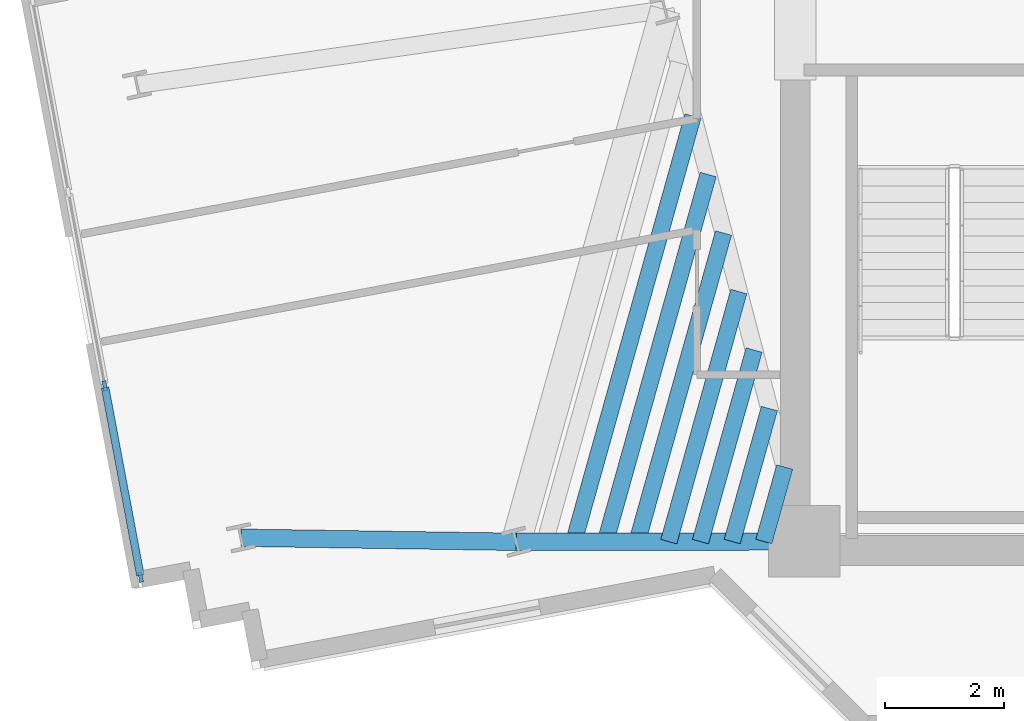
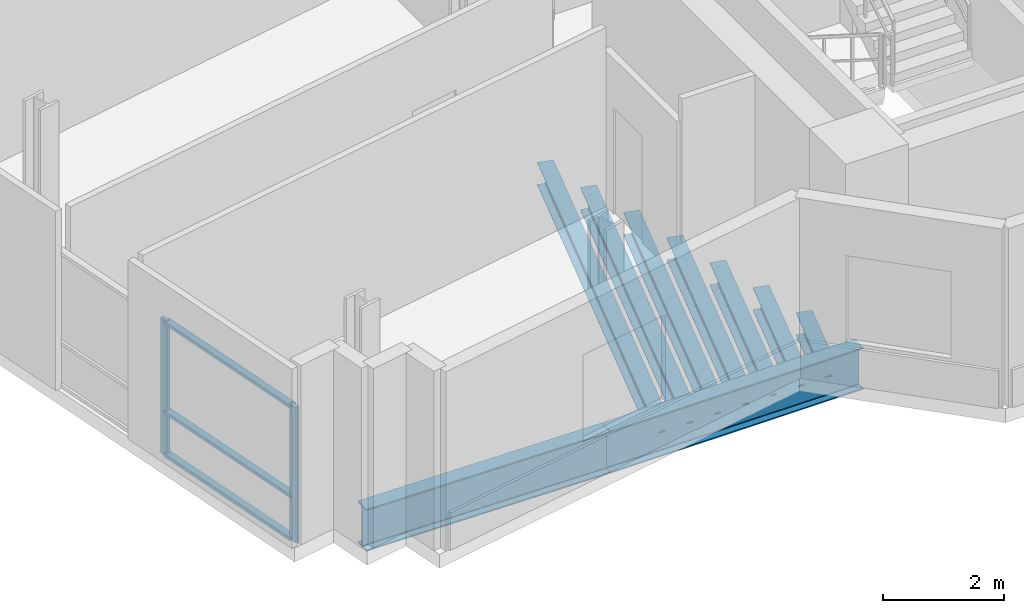
# One storey, part 2 of 16: 9 beams, 5 members, 1 element without a shape of its own.
"""IFC4 building model written with IfcOpenShell, lengths in metres."""

from ifc_helpers import new_model, si_unit, direction, frame, origin, origin_2d, place, context, subcontext, project, spatial, rectangle, i_section, extrude, source, transform, mapped, material, layer, layer_set, material_profile, profile_set, type_object, element, aggregate, save


model = new_model("IFC4")

# Units and contexts
model_context = context("Model", 3, precision=1e-05, world=origin(), true_north=direction((0.0, 1.0)))
body_context = subcontext(model_context, "Body", "Model", "MODEL_VIEW")
ifc_project = project(units=[si_unit("LENGTHUNIT", "METRE"), si_unit("AREAUNIT", "SQUARE_METRE"), si_unit("VOLUMEUNIT", "CUBIC_METRE"), si_unit("PLANEANGLEUNIT", "RADIAN"), si_unit("MASSUNIT", "GRAM", prefix="KILO")], contexts=[model_context])

# Site, building, storey
site_placement = place(None, origin())
site = spatial("IfcSite", under=ifc_project, at=site_placement, CompositionType="ELEMENT")
building_placement = place(site_placement, origin())
building = spatial("IfcBuilding", under=site, at=building_placement, Name="Zahravan Cultural Tower", CompositionType="ELEMENT")
storey_placement = place(building_placement, frame((0.0, 0.0, 151.199951171875)))
storey = spatial("IfcBuildingStorey", under=building, at=storey_placement, Name="L34", CompositionType="ELEMENT", Elevation=151.199951171875)

# Beams
ifc_material_1 = material(Name="Steel ASTM A992 Grade 50", Category="steel")
ifc_material_profile_1 = material_profile(ifc_material_1, i_section(OverallWidth=0.29296875, OverallDepth=0.845947265625, WebThickness=0.015380859375, FlangeThickness=0.0244140625, FilletRadius=0.02001953125, at=origin_2d()), Name="W33X141")
ifc_profile_set_1 = profile_set([ifc_material_profile_1], Name="Steel ASTM A992 Grade 50")
beam_type_1 = type_object("IfcBeamType", Name="BM-G-W33X141", PredefinedType="BEAM", material=ifc_profile_set_1)
shared_shape_1 = source(origin(), body_context, "Body", "SweptSolid", [
    extrude(i_section(OverallWidth=0.29296875, OverallDepth=0.845947265625, WebThickness=0.015380859375, FlangeThickness=0.0244140625, FilletRadius=0.02001953125, at=origin_2d()), origin(), (0.0, 0.0, 1.0), 4.834716796875),
])
beam_1_placement = place(storey_placement, frame((21.64990234375, 17.800048828125, -0.702880859375), z_axis=(-0.99999920313, -0.001262433979, 0.0), x_axis=(0.001262433979, -0.99999920313, 0.0)))
element("IfcBeam", 1, at=beam_1_placement, inside=storey, type_object=beam_type_1, Name="L34 Beam BG-L34-08", PredefinedType="BEAM", context=body_context, shape_type="MappedRepresentation", body=[
    mapped(shared_shape_1, transform((0.0, 0.0, 0.0), x_axis=(1.0, 0.0, 0.0), y_axis=(0.0, 1.0, 0.0), z_axis=(0.0, 0.0, 1.0), scale=1.0)),
])
shared_shape_2 = source(origin(), body_context, "Body", "SweptSolid", [
    extrude(i_section(OverallWidth=0.29296875, OverallDepth=0.845947265625, WebThickness=0.015380859375, FlangeThickness=0.0244140625, FilletRadius=0.02001953125, at=origin_2d()), origin(), (0.0, 0.0, 1.0), 4.622314453125),
])
beam_2_placement = place(storey_placement, frame((16.815185546875, 17.7939453125, -0.702880859375), z_axis=(-0.999889070044, 0.014894549562, 0.0), x_axis=(-0.014894549562, -0.999889070044, 0.0)))
element("IfcBeam", 2, at=beam_2_placement, inside=storey, type_object=beam_type_1, Name="L34 Beam BG-L34-18", PredefinedType="BEAM", context=body_context, shape_type="MappedRepresentation", body=[
    mapped(shared_shape_2, transform((0.0, 0.0, 0.0), x_axis=(1.0, 0.0, 0.0), y_axis=(0.0, 1.0, 0.0), z_axis=(0.0, 0.0, 1.0), scale=1.0)),
])
ifc_material_profile_2 = material_profile(ifc_material_1, i_section(OverallWidth=0.280029296875, OverallDepth=0.462890625, WebThickness=0.0107421875, FlangeThickness=0.017333984375, FilletRadius=0.012939453125, at=origin_2d()), Name="W18X76")
ifc_profile_set_2 = profile_set([ifc_material_profile_2], Name="Steel ASTM A992 Grade 50")
beam_type_2 = type_object("IfcBeamType", Name="BM-J-W18X76", PredefinedType="JOIST", material=ifc_profile_set_2)
shared_shape_3 = source(origin(), body_context, "Body", "SweptSolid", [
    extrude(i_section(OverallWidth=0.280029296875, OverallDepth=0.462890625, WebThickness=0.0107421875, FlangeThickness=0.017333984375, FilletRadius=0.012939453125, at=origin_2d()), origin(), (0.0, 0.0, 1.0), 1.299072265625),
])
beam_3_placement = place(storey_placement, frame((21.3232421875, 19.050048828125, -0.511474609375), z_axis=(-0.269504444708, -0.962999145525, 0.0), x_axis=(0.962999145525, -0.269504444708, 0.0)))
element("IfcBeam", 3, at=beam_3_placement, inside=storey, type_object=beam_type_2, Name="L34 Beam BJ-L34-26", PredefinedType="JOIST", context=body_context, shape_type="MappedRepresentation", body=[
    mapped(shared_shape_3, transform((0.0, 0.0, 0.0), x_axis=(1.0, 0.0, 0.0), y_axis=(0.0, 1.0, 0.0), z_axis=(0.0, 0.0, 1.0), scale=1.0)),
])
shared_shape_4 = source(origin(), body_context, "Body", "SweptSolid", [
    extrude(i_section(OverallWidth=0.280029296875, OverallDepth=0.462890625, WebThickness=0.0107421875, FlangeThickness=0.017333984375, FilletRadius=0.012939453125, at=origin_2d()), origin(), (0.0, 0.0, 1.0), 2.3193359375),
])
beam_4_placement = place(storey_placement, frame((21.06640625, 20.0322265625, -0.511474609375), z_axis=(-0.269462038626, -0.963011012263, 0.0), x_axis=(0.963011012263, -0.269462038626, 0.0)))
element("IfcBeam", 4, at=beam_4_placement, inside=storey, type_object=beam_type_2, Name="L34 Beam BJ-L34-27", PredefinedType="JOIST", context=body_context, shape_type="MappedRepresentation", body=[
    mapped(shared_shape_4, transform((0.0, 0.0, 0.0), x_axis=(1.0, 0.0, 0.0), y_axis=(0.0, 1.0, 0.0), z_axis=(0.0, 0.0, 1.0), scale=1.0)),
])
shared_shape_5 = source(origin(), body_context, "Body", "SweptSolid", [
    extrude(i_section(OverallWidth=0.280029296875, OverallDepth=0.462890625, WebThickness=0.0107421875, FlangeThickness=0.017333984375, FilletRadius=0.012939453125, at=origin_2d()), origin(), (0.0, 0.0, 1.0), 3.340087890625),
])
beam_5_placement = place(storey_placement, frame((20.809814453125, 21.014404296875, -0.511474609375), z_axis=(-0.269562146951, -0.962982995141, 0.0), x_axis=(0.962982995141, -0.269562146951, 0.0)))
element("IfcBeam", 5, at=beam_5_placement, inside=storey, type_object=beam_type_2, Name="L34 Beam BJ-L34-28", PredefinedType="JOIST", context=body_context, shape_type="MappedRepresentation", body=[
    mapped(shared_shape_5, transform((0.0, 0.0, 0.0), x_axis=(1.0, 0.0, 0.0), y_axis=(0.0, 1.0, 0.0), z_axis=(0.0, 0.0, 1.0), scale=1.0)),
])
shared_shape_6 = source(origin(), body_context, "Body", "SweptSolid", [
    extrude(i_section(OverallWidth=0.280029296875, OverallDepth=0.462890625, WebThickness=0.0107421875, FlangeThickness=0.017333984375, FilletRadius=0.012939453125, at=origin_2d()), origin(), (0.0, 0.0, 1.0), 4.36083984375),
])
beam_6_placement = place(storey_placement, frame((20.552978515625, 21.99658203125, -0.511474609375), z_axis=(-0.269511557673, -0.962997154866, 0.0), x_axis=(0.962997154866, -0.269511557673, 0.0)))
element("IfcBeam", 6, at=beam_6_placement, inside=storey, type_object=beam_type_2, Name="L34 Beam BJ-L34-29", PredefinedType="JOIST", context=body_context, shape_type="MappedRepresentation", body=[
    mapped(shared_shape_6, transform((0.0, 0.0, 0.0), x_axis=(1.0, 0.0, 0.0), y_axis=(0.0, 1.0, 0.0), z_axis=(0.0, 0.0, 1.0), scale=1.0)),
])
shared_shape_7 = source(origin(), body_context, "Body", "SweptSolid", [
    extrude(i_section(OverallWidth=0.280029296875, OverallDepth=0.462890625, WebThickness=0.0107421875, FlangeThickness=0.017333984375, FilletRadius=0.012939453125, at=origin_2d()), origin(), (0.0, 0.0, 1.0), 5.3818359375),
])
beam_7_placement = place(storey_placement, frame((20.296142578125, 22.97900390625, -0.511474609375), z_axis=(-0.269510454638, -0.962997463569, 0.0), x_axis=(0.962997463569, -0.269510454638, 0.0)))
element("IfcBeam", 7, at=beam_7_placement, inside=storey, type_object=beam_type_2, Name="L34 Beam BJ-L34-30", PredefinedType="JOIST", context=body_context, shape_type="MappedRepresentation", body=[
    mapped(shared_shape_7, transform((0.0, 0.0, 0.0), x_axis=(1.0, 0.0, 0.0), y_axis=(0.0, 1.0, 0.0), z_axis=(0.0, 0.0, 1.0), scale=1.0)),
])
shared_shape_8 = source(origin(), body_context, "Body", "SweptSolid", [
    extrude(i_section(OverallWidth=0.280029296875, OverallDepth=0.462890625, WebThickness=0.0107421875, FlangeThickness=0.017333984375, FilletRadius=0.012939453125, at=origin_2d()), origin(), (0.0, 0.0, 1.0), 6.402099609375),
])
beam_8_placement = place(storey_placement, frame((20.039306640625, 23.961181640625, -0.511474609375), z_axis=(-0.269494133533, -0.963002031146, 0.0), x_axis=(0.963002031146, -0.269494133533, 0.0)))
element("IfcBeam", 8, at=beam_8_placement, inside=storey, type_object=beam_type_2, Name="L34 Beam BJ-L34-31", PredefinedType="JOIST", context=body_context, shape_type="MappedRepresentation", body=[
    mapped(shared_shape_8, transform((0.0, 0.0, 0.0), x_axis=(1.0, 0.0, 0.0), y_axis=(0.0, 1.0, 0.0), z_axis=(0.0, 0.0, 1.0), scale=1.0)),
])
shared_shape_9 = source(origin(), body_context, "Body", "SweptSolid", [
    extrude(i_section(OverallWidth=0.280029296875, OverallDepth=0.462890625, WebThickness=0.0107421875, FlangeThickness=0.017333984375, FilletRadius=0.012939453125, at=origin_2d()), origin(), (0.0, 0.0, 1.0), 7.4228515625),
])
beam_9_placement = place(storey_placement, frame((19.78271484375, 24.943359375, -0.511474609375), z_axis=(-0.269504266128, -0.962999195503, 0.0), x_axis=(0.962999195503, -0.269504266128, 0.0)))
element("IfcBeam", 9, at=beam_9_placement, inside=storey, type_object=beam_type_2, Name="L34 Beam BJ-L34-32", PredefinedType="JOIST", context=body_context, shape_type="MappedRepresentation", body=[
    mapped(shared_shape_9, transform((0.0, 0.0, 0.0), x_axis=(1.0, 0.0, 0.0), y_axis=(0.0, 1.0, 0.0), z_axis=(0.0, 0.0, 1.0), scale=1.0)),
])

# Curtain wall, members
ifc_material_2 = material(Name="Anodised bronze-aluminium mullion", Category="aluminium")
ifc_layer = layer(ifc_material_2, 0.1650390625)
ifc_layer_set = layer_set([ifc_layer], Name="Anodised bronze-aluminium mullion")
curtain_wall_type = type_object("IfcCurtainWallType", Name="CW-SYS-4", PredefinedType="USERDEFINED", material=ifc_layer_set)
curtain_wall_placement = place(storey_placement, origin())
curtain_wall = element("IfcCurtainWall", 10, at=curtain_wall_placement, inside=storey, type_object=curtain_wall_type, Name="L34 Recessed Curtain Wall CW-4.2", ObjectType="RECESSED GLAZING", PredefinedType="USERDEFINED")
ifc_material_profile_3 = material_profile(ifc_material_2, rectangle(XDim=0.06494140625, YDim=0.1650390625, at=origin_2d()), Name="AL-M65X165")
ifc_profile_set_3 = profile_set([ifc_material_profile_3], Name="Anodised bronze-aluminium mullion")
member_type_1 = type_object("IfcMemberType", Name="CWM-CW-4", PredefinedType="MULLION", material=ifc_profile_set_3)
shared_shape_10 = source(origin(), body_context, "Body", "SweptSolid", [
    extrude(rectangle(XDim=0.06494140625, YDim=0.1650390625, at=origin_2d()), origin(), (0.0, 0.0, 1.0), 2.739990234375),
])
member_1_placement = place(storey_placement, frame((10.51171875, 17.19775390625, 0.0), z_axis=(0.0, 0.0, 1.0), x_axis=(-0.982806619389, -0.184637885835, 0.0)))
member_1 = element("IfcMember", 11, at=member_1_placement, type_object=member_type_1, Name="CW-4 mullion 1", PredefinedType="MULLION", context=body_context, shape_type="MappedRepresentation", body=[
    mapped(shared_shape_10, transform((0.0, 0.0, 0.0), x_axis=(1.0, 0.0, 0.0), y_axis=(0.0, 1.0, 0.0), z_axis=(0.0, 0.0, 1.0), scale=1.0)),
])
member_2_placement = place(storey_placement, frame((9.906982421875, 20.415771484375, 0.0), z_axis=(0.0, 0.0, 1.0), x_axis=(-0.982806619389, -0.184637885835, 0.0)))
member_2 = element("IfcMember", 12, at=member_2_placement, type_object=member_type_1, Name="CW-4 mullion 2", PredefinedType="MULLION", context=body_context, shape_type="MappedRepresentation", body=[
    mapped(shared_shape_10, transform((0.0, 0.0, 0.0), x_axis=(1.0, 0.0, 0.0), y_axis=(0.0, 1.0, 0.0), z_axis=(0.0, 0.0, 1.0), scale=1.0)),
])
ifc_material_profile_4 = material_profile(ifc_material_2, rectangle(XDim=0.1298828125, YDim=0.06494140625, at=origin_2d()), Name="AL-T65X130")
ifc_profile_set_4 = profile_set([ifc_material_profile_4], Name="Anodised bronze-aluminium mullion")
member_type_2 = type_object("IfcMemberType", Name="CWT-CW-4", PredefinedType="USERDEFINED", material=ifc_profile_set_4)
shared_shape_11 = source(origin(), body_context, "Body", "SweptSolid", [
    extrude(rectangle(XDim=0.1298828125, YDim=0.06494140625, at=origin_2d()), origin(), (0.0, 0.0, 1.0), 3.209228515625),
])
member_3_placement = place(storey_placement, frame((10.505615234375, 17.229736328125, 0.032470703125), z_axis=(-0.184633012408, 0.982807534937, 0.0), x_axis=(-0.982807534937, -0.184633012408, 0.0)))
member_3 = element("IfcMember", 13, at=member_3_placement, type_object=member_type_2, Name="CW-4 transom 1.1", ObjectType="TRANSOM", PredefinedType="USERDEFINED", context=body_context, shape_type="MappedRepresentation", body=[
    mapped(shared_shape_11, transform((0.0, 0.0, 0.0), x_axis=(1.0, 0.0, 0.0), y_axis=(0.0, 1.0, 0.0), z_axis=(0.0, 0.0, 1.0), scale=1.0)),
])
member_4_placement = place(storey_placement, frame((10.505615234375, 17.229736328125, 0.900146484375), z_axis=(-0.184633012408, 0.982807534937, 0.0), x_axis=(-0.982807534937, -0.184633012408, 0.0)))
member_4 = element("IfcMember", 14, at=member_4_placement, type_object=member_type_2, Name="CW-4 transom 1.2", ObjectType="TRANSOM", PredefinedType="USERDEFINED", context=body_context, shape_type="MappedRepresentation", body=[
    mapped(shared_shape_11, transform((0.0, 0.0, 0.0), x_axis=(1.0, 0.0, 0.0), y_axis=(0.0, 1.0, 0.0), z_axis=(0.0, 0.0, 1.0), scale=1.0)),
])
member_5_placement = place(storey_placement, frame((10.505615234375, 17.229736328125, 2.70751953125), z_axis=(-0.184633012408, 0.982807534937, 0.0), x_axis=(-0.982807534937, -0.184633012408, 0.0)))
member_5 = element("IfcMember", 15, at=member_5_placement, type_object=member_type_2, Name="CW-4 transom 1.3", ObjectType="TRANSOM", PredefinedType="USERDEFINED", context=body_context, shape_type="MappedRepresentation", body=[
    mapped(shared_shape_11, transform((0.0, 0.0, 0.0), x_axis=(1.0, 0.0, 0.0), y_axis=(0.0, 1.0, 0.0), z_axis=(0.0, 0.0, 1.0), scale=1.0)),
])
aggregate(curtain_wall, [member_1, member_2, member_3, member_4, member_5])

save(model, "model.ifc")
